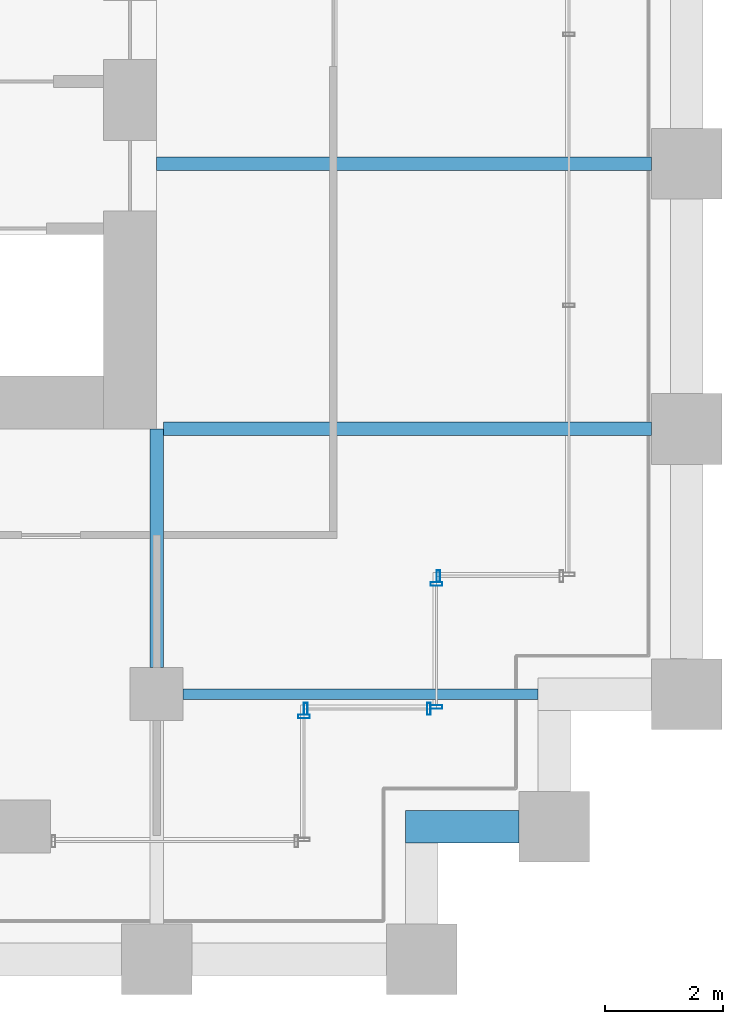
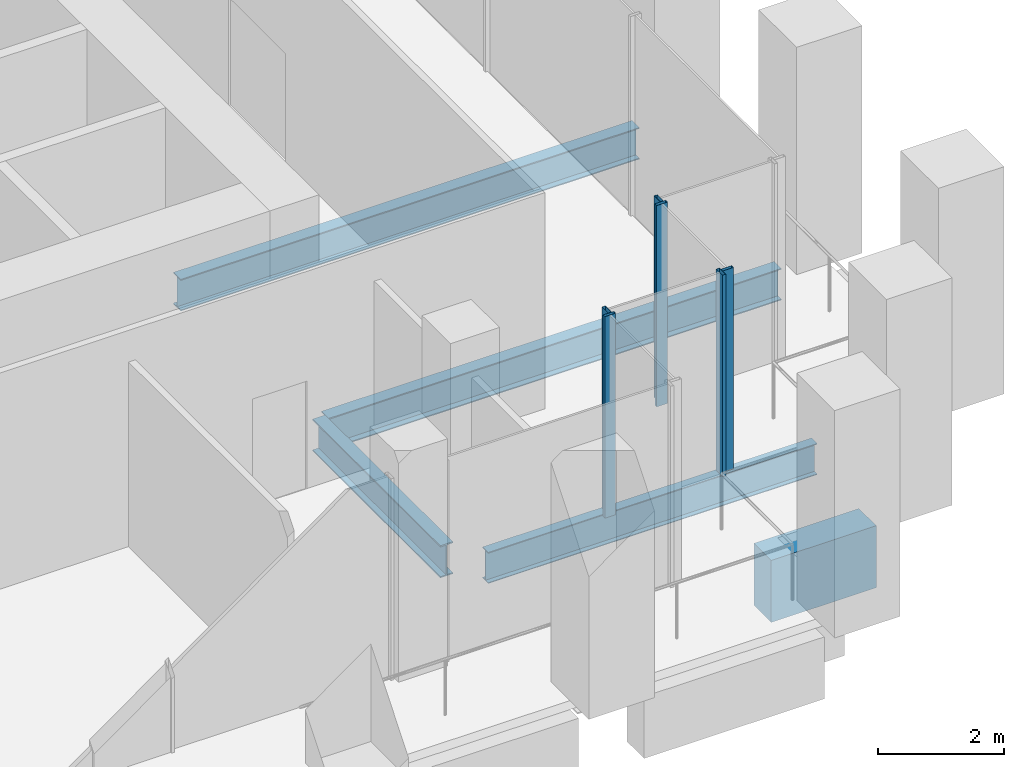
# One storey, part 22 of 36: 6 members, 5 beams, 4 elements without a shape of their own.
"""IFC4 building model written with IfcOpenShell, lengths in metres."""

from ifc_helpers import new_model, si_unit, direction, frame, origin, origin_2d, place, context, subcontext, project, spatial, rectangle, hollow_rectangle, i_section, extrude, material, material_profile, profile_set, type_object, element, aggregate, save


model = new_model("IFC4")

# Units and contexts
model_context = context("Model", 3, precision=1e-05, world=origin(), true_north=direction((0.0, 1.0)))
body_context = subcontext(model_context, "Body", "Model", "MODEL_VIEW")
ifc_project = project(units=[si_unit("LENGTHUNIT", "METRE"), si_unit("AREAUNIT", "SQUARE_METRE"), si_unit("VOLUMEUNIT", "CUBIC_METRE"), si_unit("PLANEANGLEUNIT", "RADIAN"), si_unit("MASSUNIT", "GRAM", prefix="KILO")], contexts=[model_context])

# Site, building, storey
site_placement = place(None, origin())
site = spatial("IfcSite", under=ifc_project, at=site_placement, CompositionType="ELEMENT")
building_placement = place(site_placement, origin())
building = spatial("IfcBuilding", under=site, at=building_placement, Name="Altepetl Exchange Towers", CompositionType="ELEMENT")
storey_placement = place(building_placement, frame((0.0, 0.0, 29.800048828125)))
storey = spatial("IfcBuildingStorey", under=building, at=storey_placement, Name="L06", CompositionType="ELEMENT", Elevation=29.800048828125)

# Beams
ifc_material_1 = material(Name="Steel S355", Category="steel")
ifc_material_profile_1 = material_profile(ifc_material_1, i_section(OverallWidth=0.178955078125, OverallDepth=0.60302734375, WebThickness=0.010986328125, FlangeThickness=0.014892578125, at=origin_2d()), Name="W24X62")
ifc_profile_set_1 = profile_set([ifc_material_profile_1], Name="Steel S355")
beam_type_1 = type_object("IfcBeamType", Name="Floor beam W24X62", PredefinedType="BEAM", material=ifc_profile_set_1)
beam_1_placement = place(storey_placement, frame((117.449951171875, 31.5, -0.4765625), z_axis=(1.0, 0.0, 0.0), x_axis=(0.0, 1.0, 0.0)))
element("IfcBeam", 1, at=beam_1_placement, inside=storey, type_object=beam_type_1, Name="bm:B:L06:004", PredefinedType="BEAM", context=body_context, shape_type="SweptSolid", body=[
    extrude(i_section(OverallWidth=0.178955078125, OverallDepth=0.60302734375, WebThickness=0.010986328125, FlangeThickness=0.014892578125, at=origin_2d()), origin(), (0.0, 0.0, 1.0), 6.025146484375),
])
ifc_material_profile_2 = material_profile(ifc_material_1, i_section(OverallWidth=0.22900390625, OverallDepth=0.612060546875, WebThickness=0.011962890625, FlangeThickness=0.01953125, at=origin_2d()), Name="W24X84")
ifc_profile_set_2 = profile_set([ifc_material_profile_2], Name="Steel S355")
beam_type_2 = type_object("IfcBeamType", Name="Floor beam W24X84", PredefinedType="BEAM", material=ifc_profile_set_2)
beam_2_placement = place(storey_placement, frame((117.114990234375, 36.0, -0.48095703125), z_axis=(1.0, 0.0, 0.0), x_axis=(0.0, 1.0, 0.0)))
element("IfcBeam", 2, at=beam_2_placement, inside=storey, type_object=beam_type_2, Name="bm:B:L06:005", PredefinedType="BEAM", context=body_context, shape_type="SweptSolid", body=[
    extrude(i_section(OverallWidth=0.22900390625, OverallDepth=0.612060546875, WebThickness=0.011962890625, FlangeThickness=0.01953125, at=origin_2d()), origin(), (0.0, 0.0, 1.0), 8.284912109375),
])
beam_3_placement = place(storey_placement, frame((117.0, 40.5, -0.48095703125), z_axis=(1.0, 0.0, 0.0), x_axis=(0.0, 1.0, 0.0)))
element("IfcBeam", 3, at=beam_3_placement, inside=storey, type_object=beam_type_2, Name="bm:B:L06:006", PredefinedType="BEAM", context=body_context, shape_type="SweptSolid", body=[
    extrude(i_section(OverallWidth=0.22900390625, OverallDepth=0.612060546875, WebThickness=0.011962890625, FlangeThickness=0.01953125, at=origin_2d()), origin(), (0.0, 0.0, 1.0), 8.39990234375),
])
ifc_material_profile_3 = material_profile(ifc_material_1, i_section(OverallWidth=0.22900390625, OverallDepth=0.623046875, WebThickness=0.013916015625, FlangeThickness=0.02490234375, at=origin_2d()), Name="W24X103")
ifc_profile_set_3 = profile_set([ifc_material_profile_3], Name="Steel S355")
beam_type_3 = type_object("IfcBeamType", Name="Girder W24X103", PredefinedType="BEAM", material=ifc_profile_set_3)
beam_4_placement = place(storey_placement, frame((117.0, 36.0, -0.486572265625), z_axis=(0.0, -1.0, 0.0), x_axis=(1.0, 0.0, 0.0)))
element("IfcBeam", 4, at=beam_4_placement, inside=storey, type_object=beam_type_3, Name="gd:B:L06:004", PredefinedType="BEAM", context=body_context, shape_type="SweptSolid", body=[
    extrude(i_section(OverallWidth=0.22900390625, OverallDepth=0.623046875, WebThickness=0.013916015625, FlangeThickness=0.02490234375, at=origin_2d()), origin(), (0.0, 0.0, 1.0), 4.050048828125),
])

# Curtain wall, member
ifc_material_2 = material(Name="Aluminium 6063-T6 glazing", Category="aluminium")
curtain_wall_type = type_object("IfcCurtainWallType", Name="Trading floor glazing system", PredefinedType="NOTDEFINED", material=ifc_material_2)
curtain_wall_1_placement = place(storey_placement, origin())
curtain_wall_1 = element("IfcCurtainWall", 5, at=curtain_wall_1_placement, inside=storey, type_object=curtain_wall_type, Name="CW2 run", PredefinedType="NOTDEFINED")
ifc_material_3 = material(Name="Aluminium 6063-T6", Category="aluminium")
ifc_material_profile_4 = material_profile(ifc_material_3, hollow_rectangle(XDim=0.06005859375, YDim=0.199951171875, WallThickness=0.0029296875, at=origin_2d()), Name="Mullion 60x200 aluminium")
ifc_profile_set_4 = profile_set([ifc_material_profile_4], Name="Aluminium 6063-T6")
member_type = type_object("IfcMemberType", Name="Mullion 60x200 aluminium", PredefinedType="MULLION", material=ifc_profile_set_4)
member_1_placement = place(storey_placement, frame((119.5, 31.1201171875, 0.0), z_axis=(0.0, 0.0, 1.0), x_axis=(0.0, 1.0, 0.0)))
member_1 = element("IfcMember", 6, at=member_1_placement, type_object=member_type, Name="MU2 mullion", PredefinedType="MULLION", context=body_context, shape_type="SweptSolid", body=[
    extrude(hollow_rectangle(XDim=0.06005859375, YDim=0.199951171875, WallThickness=0.0029296875, at=origin_2d()), origin(), (0.0, 0.0, 1.0), 3.89990234375),
])
aggregate(curtain_wall_1, [member_1])

# Curtain wall, members
curtain_wall_2_placement = place(storey_placement, origin())
curtain_wall_2 = element("IfcCurtainWall", 7, at=curtain_wall_2_placement, inside=storey, type_object=curtain_wall_type, Name="CW2 run", PredefinedType="NOTDEFINED")
member_2_placement = place(storey_placement, frame((119.530029296875, 31.25, 0.0)))
member_2 = element("IfcMember", 8, at=member_2_placement, type_object=member_type, Name="MU2 mullion", PredefinedType="MULLION", context=body_context, shape_type="SweptSolid", body=[
    extrude(hollow_rectangle(XDim=0.06005859375, YDim=0.199951171875, WallThickness=0.0029296875, at=origin_2d()), origin(), (0.0, 0.0, 1.0), 3.89990234375),
])
member_3_placement = place(storey_placement, frame((121.6201171875, 31.25, 0.0)))
member_3 = element("IfcMember", 9, at=member_3_placement, type_object=member_type, Name="MU2 mullion", PredefinedType="MULLION", context=body_context, shape_type="SweptSolid", body=[
    extrude(hollow_rectangle(XDim=0.06005859375, YDim=0.199951171875, WallThickness=0.0029296875, at=origin_2d()), origin(), (0.0, 0.0, 1.0), 3.89990234375),
])
aggregate(curtain_wall_2, [member_2, member_3])

curtain_wall_3_placement = place(storey_placement, origin())
curtain_wall_3 = element("IfcCurtainWall", 10, at=curtain_wall_3_placement, inside=storey, type_object=curtain_wall_type, Name="CW2 run", PredefinedType="NOTDEFINED")
member_4_placement = place(storey_placement, frame((121.75, 31.280029296875, 0.0), z_axis=(0.0, 0.0, 1.0), x_axis=(0.0, 1.0, 0.0)))
member_4 = element("IfcMember", 11, at=member_4_placement, type_object=member_type, Name="MU2 mullion", PredefinedType="MULLION", context=body_context, shape_type="SweptSolid", body=[
    extrude(hollow_rectangle(XDim=0.06005859375, YDim=0.199951171875, WallThickness=0.0029296875, at=origin_2d()), origin(), (0.0, 0.0, 1.0), 3.89990234375),
])
member_5_placement = place(storey_placement, frame((121.75, 33.3701171875, 0.0), z_axis=(0.0, 0.0, 1.0), x_axis=(0.0, 1.0, 0.0)))
member_5 = element("IfcMember", 12, at=member_5_placement, type_object=member_type, Name="MU2 mullion", PredefinedType="MULLION", context=body_context, shape_type="SweptSolid", body=[
    extrude(hollow_rectangle(XDim=0.06005859375, YDim=0.199951171875, WallThickness=0.0029296875, at=origin_2d()), origin(), (0.0, 0.0, 1.0), 3.89990234375),
])
aggregate(curtain_wall_3, [member_4, member_5])

# Curtain wall, member
curtain_wall_4_placement = place(storey_placement, origin())
curtain_wall_4 = element("IfcCurtainWall", 13, at=curtain_wall_4_placement, inside=storey, type_object=curtain_wall_type, Name="CW2 run", PredefinedType="NOTDEFINED")
member_6_placement = place(storey_placement, frame((121.780029296875, 33.5, 0.0)))
member_6 = element("IfcMember", 14, at=member_6_placement, type_object=member_type, Name="MU2 mullion", PredefinedType="MULLION", context=body_context, shape_type="SweptSolid", body=[
    extrude(hollow_rectangle(XDim=0.06005859375, YDim=0.199951171875, WallThickness=0.0029296875, at=origin_2d()), origin(), (0.0, 0.0, 1.0), 3.89990234375),
])
aggregate(curtain_wall_4, [member_6])

# Beam
ifc_material_4 = material(Name="Concrete C50/60 precast with cantera blanca facing", Category="concrete")
ifc_material_profile_5 = material_profile(ifc_material_4, rectangle(XDim=0.550048828125, YDim=1.199951171875, at=origin_2d()), Name="550 x 1200")
ifc_profile_set_5 = profile_set([ifc_material_profile_5], Name="Concrete C50/60 precast with cantera blanca facing")
beam_type_4 = type_object("IfcBeamType", Name="Spandrel beam 550x1200 cantera blanca", PredefinedType="SPANDREL", material=ifc_profile_set_5)
beam_5_placement = place(storey_placement, frame((121.22509765625, 29.25, -0.775146484375), z_axis=(1.0, 0.0, 0.0), x_axis=(0.0, 1.0, 0.0)))
element("IfcBeam", 15, at=beam_5_placement, inside=storey, type_object=beam_type_4, Name="sp:B:L06:006", PredefinedType="SPANDREL", context=body_context, shape_type="SweptSolid", body=[
    extrude(rectangle(XDim=0.550048828125, YDim=1.199951171875, at=origin_2d()), origin(), (0.0, 0.0, 1.0), 1.9248046875),
])

save(model, "model.ifc")
